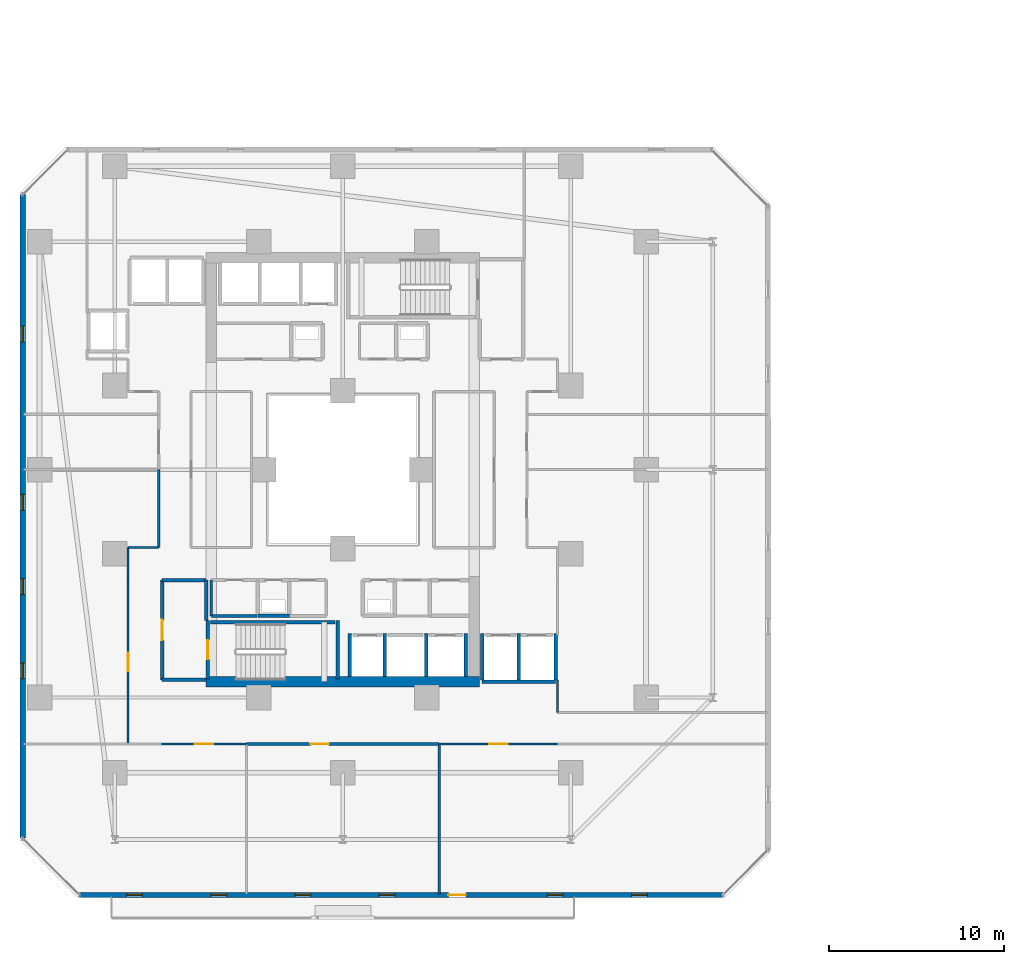
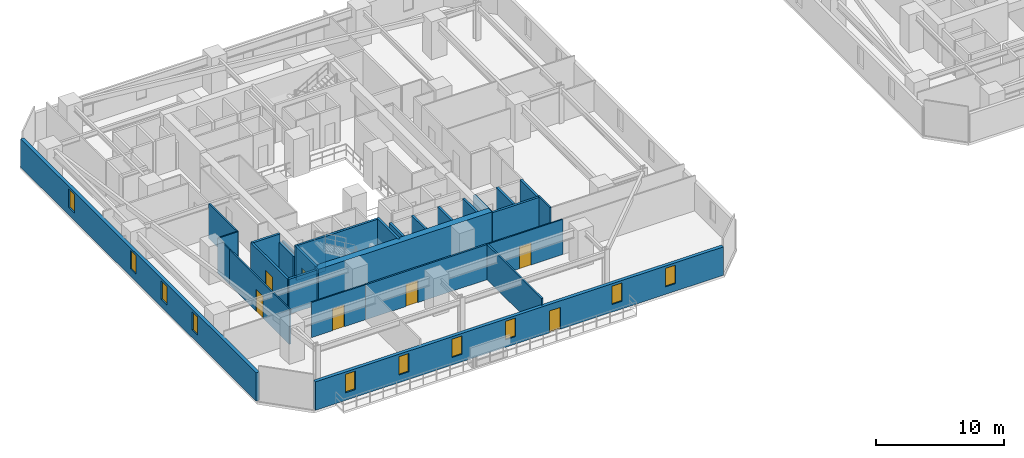
# One storey, part 20 of 34: 30 walls, 10 windows, 7 doors, 17 openings.
"""IFC4 building model written with IfcOpenShell, lengths in metres."""

from ifc_helpers import new_model, si_unit, direction, frame, frame_2d, origin, place, context, subcontext, project, spatial, rectangle, extrude, material, layer, layer_set, type_object, element, fill, save


model = new_model("IFC4")

# Units and contexts
model_context = context("Model", 3, precision=1e-05, world=origin(), true_north=direction((0.0, 1.0)))
body_context = subcontext(model_context, "Body", "Model", "MODEL_VIEW")
ifc_project = project(units=[si_unit("LENGTHUNIT", "METRE"), si_unit("AREAUNIT", "SQUARE_METRE"), si_unit("VOLUMEUNIT", "CUBIC_METRE"), si_unit("PLANEANGLEUNIT", "RADIAN"), si_unit("MASSUNIT", "GRAM", prefix="KILO")], contexts=[model_context])

# Site, building, storey
site_placement = place(None, origin())
site = spatial("IfcSite", under=ifc_project, at=site_placement, CompositionType="ELEMENT")
building_placement = place(site_placement, origin())
building = spatial("IfcBuilding", under=site, at=building_placement, Name="Thornwick Lancets Civic Towers", CompositionType="ELEMENT")
storey_placement = place(building_placement, frame((0.0, 0.0, 60.89990234375)))
storey = spatial("IfcBuildingStorey", under=building, at=storey_placement, Name="L15", CompositionType="ELEMENT", Elevation=60.89990234375)

# Walls
ifc_material_1 = material(Name="Concrete blockwork C40/50", Category="masonry")
ifc_layer_1 = layer(ifc_material_1, 0.199951171875, Name="Concrete blockwork C40/50")
ifc_layer_set_1 = layer_set([ifc_layer_1], Name="Concrete blockwork C40/50")
wall_type_1 = type_object("IfcWallType", Name="WALL_COMP_200", PredefinedType="STANDARD", material=ifc_layer_set_1)
for number, where, z_axis, x_axis, name in (
    (1, (27.89990234375, 15.2119140625, 0.0), (0.0, 0.0, 1.0), (0.0, 1.0, 0.0), "L15 Hoistway Shaft Wall FL-A1 E"),
    (2, (25.89990234375, 15.2119140625, 0.0), (0.0, 0.0, 1.0), (0.0, 1.0, 0.0), "L15 Hoistway Shaft Wall FL-A1 W"),
    (3, (30.25, 15.2119140625, 0.0), (0.0, 0.0, 1.0), (0.0, 1.0, 0.0), "L15 Hoistway Shaft Wall PL-AH1 E"),
    (4, (32.5, 15.2119140625, 0.0), (0.0, 0.0, 1.0), (0.0, 1.0, 0.0), "L15 Hoistway Shaft Wall PL-AL1 E"),
):
    element("IfcWall", number, at=place(storey_placement, frame(where, z_axis=z_axis, x_axis=x_axis)), inside=storey, type_object=wall_type_1, Name=name, PredefinedType="STANDARD", context=body_context, shape_type="SweptSolid", body=[
        extrude(rectangle(XDim=2.43603515625, YDim=0.199951171875, at=frame_2d((1.218017578125, 0.0))), origin(), (0.0, 0.0, 1.0), 3.340087890625),
    ])
wall_1_placement = place(storey_placement, frame((33.451904296875, 14.89990234375, 0.0), z_axis=(0.0, 0.0, 1.0), x_axis=(1.0, 0.0, 0.0)))
element("IfcWall", 5, at=wall_1_placement, inside=storey, type_object=wall_type_1, Name="L15 Hoistway Shaft Wall PL-AL2 S", PredefinedType="STANDARD", context=body_context, shape_type="SweptSolid", body=[
    extrude(rectangle(XDim=4.196044921875, YDim=0.199951171875, at=frame_2d((2.09814453125, 0.0))), origin(), (0.0, 0.0, 1.0), 3.340087890625),
])
for number, where, z_axis, x_axis, name in (
    (6, (35.52490234375, 15.011962890625, 0.0), (0.0, 0.0, 1.0), (0.0, 1.0, 0.0), "L15 Hoistway Shaft Wall PL-AL2 E"),
    (7, (33.449951171875, 15.011962890625, 0.0), (0.0, 0.0, 1.0), (0.0, 1.0, 0.0), "L15 Hoistway Shaft Wall PL-AL2 W"),
    (8, (37.64990234375, 15.011962890625, 0.0), (0.0, 0.0, 1.0), (0.0, 1.0, 0.0), "L15 Hoistway Shaft Wall PL-AL3 E"),
):
    element("IfcWall", number, at=place(storey_placement, frame(where, z_axis=z_axis, x_axis=x_axis)), inside=storey, type_object=wall_type_1, Name=name, PredefinedType="STANDARD", context=body_context, shape_type="SweptSolid", body=[
        extrude(rectangle(XDim=2.635986328125, YDim=0.199951171875, at=frame_2d((1.31787109375, 0.0))), origin(), (0.0, 0.0, 1.0), 3.340087890625),
    ])
wall_2_placement = place(storey_placement, frame((15.199951171875, 15.0, 0.0), z_axis=(0.0, 0.0, 1.0), x_axis=(1.0, 0.0, 0.0)))
element("IfcWall", 9, at=wall_2_placement, inside=storey, type_object=wall_type_1, Name="L15 Partition L15-A-FFLOB1 E1", PredefinedType="STANDARD", context=body_context, shape_type="SweptSolid", body=[
    extrude(rectangle(XDim=2.5, YDim=0.199951171875, at=frame_2d((1.25, 0.0))), origin(), (0.0, 0.0, 1.0), 3.340087890625),
])
wall_3_placement = place(storey_placement, frame((17.699951171875, 18.39990234375, 0.0), z_axis=(0.0, 0.0, 1.0), x_axis=(0.0, 1.0, 0.0)))
element("IfcWall", 10, at=wall_3_placement, inside=storey, type_object=wall_type_1, Name="L15 Partition L15-A-FFLOB1 E2", PredefinedType="STANDARD", context=body_context, shape_type="SweptSolid", body=[
    extrude(rectangle(XDim=2.300048828125, YDim=0.199951171875, at=frame_2d((1.14990234375, 0.0))), origin(), (0.0, 0.0, 1.0), 2.545166015625),
])
wall_4_placement = place(storey_placement, frame((17.699951171875, 20.699951171875, 0.0), z_axis=(0.0, 0.0, 1.0), x_axis=(-1.0, 0.0, 0.0)))
element("IfcWall", 11, at=wall_4_placement, inside=storey, type_object=wall_type_1, Name="L15 Partition L15-A-FFLOB1 E3", PredefinedType="STANDARD", context=body_context, shape_type="SweptSolid", body=[
    extrude(rectangle(XDim=2.5, YDim=0.199951171875, at=frame_2d((1.25, 0.0))), origin(), (0.0, 0.0, 1.0), 3.340087890625),
])

# Wall, opening, door
wall_5_placement = place(storey_placement, frame((15.199951171875, 20.699951171875, 0.0), z_axis=(0.0, 0.0, 1.0), x_axis=(0.0, -1.0, 0.0)))
wall_5 = element("IfcWall", 12, at=wall_5_placement, inside=storey, type_object=wall_type_1, Name="L15 Partition L15-A-FFLOB1 E4", PredefinedType="STANDARD", context=body_context, shape_type="SweptSolid", body=[
    extrude(rectangle(XDim=5.699951171875, YDim=0.199951171875, at=frame_2d((2.85009765625, 0.0))), origin(), (0.0, 0.0, 1.0), 3.340087890625),
])
opening_1_placement = place(wall_5_placement, frame((2.27490234375, 0.0, 0.0)))
opening_1 = element("IfcOpeningElement", 13, at=opening_1_placement, cuts=wall_5, Name="Opening D-L15-0703", PredefinedType="OPENING", context=body_context, shape_type="SweptSolid", body=[
    extrude(rectangle(XDim=1.14990234375, YDim=2.10009765625, at=frame_2d((0.574951171875, 1.050048828125))), frame((0.0, 0.10986328125, 0.0), z_axis=(0.0, -1.0, 0.0), x_axis=(1.0, 0.0, 0.0)), (0.0, 0.0, 1.0), 0.219970703125),
])
ifc_material_2 = material(Name="Glazed fire-resisting steel", Category="steel")
door_type_1 = type_object("IfcDoorType", Name="DOOR_LOBBY_FD60", OperationType="NOTDEFINED", PredefinedType="DOOR", material=ifc_material_2)
door_1_placement = place(opening_1_placement, origin())
door_1 = element("IfcDoor", 14, at=door_1_placement, inside=storey, type_object=door_type_1, Name="L15 South Firefighting Lobby 1 Door", OperationType="SINGLE_SWING_RIGHT", OverallHeight=2.10009765625, OverallWidth=1.14990234375, PredefinedType="DOOR", context=body_context, shape_type="SweptSolid", body=[
    extrude(rectangle(XDim=1.14990234375, YDim=2.10009765625, at=frame_2d((0.574951171875, 1.050048828125))), frame((0.0, 0.02490234375, 0.0), z_axis=(0.0, -1.0, 0.0), x_axis=(1.0, 0.0, 0.0)), (0.0, 0.0, 1.0), 0.050048828125),
])
fill(opening_1, door_1)

# Walls
wall_6_placement = place(storey_placement, frame((20.64990234375, 18.64990234375, 0.0), z_axis=(0.0, 0.0, 1.0), x_axis=(1.0, 0.0, 0.0)))
element("IfcWall", 15, at=wall_6_placement, inside=storey, type_object=wall_type_1, Name="L15 Partition L15-A-RISER1 E1", PredefinedType="STANDARD", context=body_context, shape_type="SweptSolid", body=[
    extrude(rectangle(XDim=1.800048828125, YDim=0.199951171875, at=frame_2d((0.89990234375, 0.0))), origin(), (0.0, 0.0, 1.0), 3.340087890625),
])
ifc_material_3 = material(Name="Concrete C60/75", Category="concrete")
ifc_layer_2 = layer(ifc_material_3, 0.60009765625, Name="Concrete C60/75")
ifc_layer_set_2 = layer_set([ifc_layer_2], Name="Concrete C60/75")
wall_type_2 = type_object("IfcWallType", Name="WALL_CORE_600", PredefinedType="SHEAR", material=ifc_layer_set_2)
wall_7_placement = place(storey_placement, frame((17.699951171875, 14.89990234375, 0.0), z_axis=(0.0, 0.0, 1.0), x_axis=(1.0, 0.0, 0.0)))
element("IfcWall", 16, at=wall_7_placement, inside=storey, type_object=wall_type_2, Name="L15 Split Core A1 Shear Wall S", PredefinedType="SHEAR", context=body_context, shape_type="SweptSolid", body=[
    extrude(rectangle(XDim=15.60009765625, YDim=0.60009765625, at=frame_2d((7.800048828125, 0.0))), origin(), (0.0, 0.0, 1.0), 3.60009765625),
])

# Wall, openings, door, windows
ifc_material_4 = material(Name="Insulated russet terracotta rainscreen on concrete C40/50", Category="masonry")
ifc_layer_3 = layer(ifc_material_4, 0.300048828125, Name="Insulated russet terracotta rainscreen on concrete C40/50")
ifc_layer_set_3 = layer_set([ifc_layer_3], Name="Insulated russet terracotta rainscreen on concrete C40/50")
wall_type_3 = type_object("IfcWallType", Name="WALL_EXT_RUSSET_300", PredefinedType="STANDARD", material=ifc_layer_set_3)
wall_8_placement = place(storey_placement, frame((10.471435546875, 2.7373046875, 0.0), z_axis=(0.0, 0.0, 1.0), x_axis=(0.999999998209, -5.985515e-05, 0.0)))
wall_8 = element("IfcWall", 17, at=wall_8_placement, inside=storey, type_object=wall_type_3, Name="L15 Tower A Terracotta Facade Wall E0", PredefinedType="STANDARD", context=body_context, shape_type="SweptSolid", body=[
    extrude(rectangle(XDim=36.709716796875, YDim=0.300048828125, at=frame_2d((18.35498046875, 0.0))), origin(), (0.0, 0.0, 1.0), 2.7001953125),
])
opening_2_placement = place(wall_8_placement, frame((21.054931640625, 0.0, 0.0)))
opening_2 = element("IfcOpeningElement", 18, at=opening_2_placement, cuts=wall_8, Name="Opening D-BL-L15-AS", PredefinedType="OPENING", context=body_context, shape_type="SweptSolid", body=[
    extrude(rectangle(XDim=1.0, YDim=2.080078125, at=frame_2d((0.5, 1.0400390625))), frame((0.0, 0.16015625, 0.0), z_axis=(0.0, -1.0, 0.0), x_axis=(1.0, 0.0, 0.0)), (0.0, 0.0, 1.0), 0.320068359375),
])
opening_3_placement = place(wall_8_placement, frame((2.699951171875, 0.0, 0.719970703125)))
opening_3 = element("IfcOpeningElement", 19, at=opening_3_placement, cuts=wall_8, Name="Opening WL-01", PredefinedType="OPENING", context=body_context, shape_type="SweptSolid", body=[
    extrude(rectangle(XDim=0.89990234375, YDim=1.75, at=frame_2d((0.449951171875, 0.875))), frame((0.0, 0.16015625, 0.0), z_axis=(0.0, -1.0, 0.0), x_axis=(1.0, 0.0, 0.0)), (0.0, 0.0, 1.0), 0.320068359375),
])
opening_4_placement = place(wall_8_placement, frame((7.5, 0.0, 0.719970703125)))
opening_4 = element("IfcOpeningElement", 20, at=opening_4_placement, cuts=wall_8, Name="Opening WL-01", PredefinedType="OPENING", context=body_context, shape_type="SweptSolid", body=[
    extrude(rectangle(XDim=0.89990234375, YDim=1.75, at=frame_2d((0.449951171875, 0.875))), frame((0.0, 0.16015625, 0.0), z_axis=(0.0, -1.0, 0.0), x_axis=(1.0, 0.0, 0.0)), (0.0, 0.0, 1.0), 0.320068359375),
])
opening_5_placement = place(wall_8_placement, frame((12.300048828125, 0.0, 0.719970703125)))
opening_5 = element("IfcOpeningElement", 21, at=opening_5_placement, cuts=wall_8, Name="Opening WL-01", PredefinedType="OPENING", context=body_context, shape_type="SweptSolid", body=[
    extrude(rectangle(XDim=0.89990234375, YDim=1.75, at=frame_2d((0.449951171875, 0.875))), frame((0.0, 0.16015625, 0.0), z_axis=(0.0, -1.0, 0.0), x_axis=(1.0, 0.0, 0.0)), (0.0, 0.0, 1.0), 0.320068359375),
])
opening_6_placement = place(wall_8_placement, frame((17.10009765625, 0.0, 0.719970703125)))
opening_6 = element("IfcOpeningElement", 22, at=opening_6_placement, cuts=wall_8, Name="Opening WL-01", PredefinedType="OPENING", context=body_context, shape_type="SweptSolid", body=[
    extrude(rectangle(XDim=0.89990234375, YDim=1.75, at=frame_2d((0.449951171875, 0.875))), frame((0.0, 0.16015625, 0.0), z_axis=(0.0, -1.0, 0.0), x_axis=(1.0, 0.0, 0.0)), (0.0, 0.0, 1.0), 0.320068359375),
])
opening_7_placement = place(wall_8_placement, frame((26.699951171875, 0.0, 0.719970703125)))
opening_7 = element("IfcOpeningElement", 23, at=opening_7_placement, cuts=wall_8, Name="Opening WL-01", PredefinedType="OPENING", context=body_context, shape_type="SweptSolid", body=[
    extrude(rectangle(XDim=0.89990234375, YDim=1.75, at=frame_2d((0.449951171875, 0.875))), frame((0.0, 0.16015625, 0.0), z_axis=(0.0, -1.0, 0.0), x_axis=(1.0, 0.0, 0.0)), (0.0, 0.0, 1.0), 0.320068359375),
])
opening_8_placement = place(wall_8_placement, frame((31.5, 0.0, 0.719970703125)))
opening_8 = element("IfcOpeningElement", 24, at=opening_8_placement, cuts=wall_8, Name="Opening WL-01", PredefinedType="OPENING", context=body_context, shape_type="SweptSolid", body=[
    extrude(rectangle(XDim=0.89990234375, YDim=1.75, at=frame_2d((0.449951171875, 0.875))), frame((0.0, 0.16015625, 0.0), z_axis=(0.0, -1.0, 0.0), x_axis=(1.0, 0.0, 0.0)), (0.0, 0.0, 1.0), 0.320068359375),
])
ifc_material_5 = material(Name="Thermally broken glazed loggia doorset")
door_type_2 = type_object("IfcDoorType", Name="DOOR_BALC_1000", OperationType="NOTDEFINED", PredefinedType="DOOR", material=ifc_material_5)
door_2_placement = place(opening_2_placement, origin())
door_2 = element("IfcDoor", 25, at=door_2_placement, inside=storey, type_object=door_type_2, Name="L15 Tower A Loggia Balcony Door S", OperationType="SINGLE_SWING_RIGHT", OverallHeight=2.080078125, OverallWidth=1.0, PredefinedType="DOOR", context=body_context, shape_type="SweptSolid", body=[
    extrude(rectangle(XDim=1.0, YDim=2.080078125, at=frame_2d((0.5, 1.0400390625))), frame((0.0, 0.02490234375, 0.0), z_axis=(0.0, -1.0, 0.0), x_axis=(1.0, 0.0, 0.0)), (0.0, 0.0, 1.0), 0.050048828125),
])
fill(opening_2, door_2)
ifc_material_6 = material(Name="Clear low-e double glazing in bronze frame", Category="glass")
window_type = type_object("IfcWindowType", Name="WIN_LANCET_900", PartitioningType="SINGLE_PANEL", PredefinedType="WINDOW", material=ifc_material_6)
window_1_placement = place(opening_3_placement, origin())
window_1 = element("IfcWindow", 26, at=window_1_placement, inside=storey, type_object=window_type, Name="L15 Tower A Staggered Lancet Window E0-1", OverallHeight=1.75, OverallWidth=0.89990234375, PartitioningType="SINGLE_PANEL", PredefinedType="WINDOW", context=body_context, shape_type="SweptSolid", body=[
    extrude(rectangle(XDim=0.89990234375, YDim=1.75, at=frame_2d((0.449951171875, 0.875))), frame((0.0, 0.030029296875, 0.0), z_axis=(0.0, -1.0, 0.0), x_axis=(1.0, 0.0, 0.0)), (0.0, 0.0, 1.0), 0.06005859375),
])
fill(opening_3, window_1)
window_2_placement = place(opening_4_placement, origin())
window_2 = element("IfcWindow", 27, at=window_2_placement, inside=storey, type_object=window_type, Name="L15 Tower A Staggered Lancet Window E0-2", OverallHeight=1.75, OverallWidth=0.89990234375, PartitioningType="SINGLE_PANEL", PredefinedType="WINDOW", context=body_context, shape_type="SweptSolid", body=[
    extrude(rectangle(XDim=0.89990234375, YDim=1.75, at=frame_2d((0.449951171875, 0.875))), frame((0.0, 0.030029296875, 0.0), z_axis=(0.0, -1.0, 0.0), x_axis=(1.0, 0.0, 0.0)), (0.0, 0.0, 1.0), 0.06005859375),
])
fill(opening_4, window_2)
window_3_placement = place(opening_5_placement, origin())
window_3 = element("IfcWindow", 28, at=window_3_placement, inside=storey, type_object=window_type, Name="L15 Tower A Staggered Lancet Window E0-3", OverallHeight=1.75, OverallWidth=0.89990234375, PartitioningType="SINGLE_PANEL", PredefinedType="WINDOW", context=body_context, shape_type="SweptSolid", body=[
    extrude(rectangle(XDim=0.89990234375, YDim=1.75, at=frame_2d((0.449951171875, 0.875))), frame((0.0, 0.030029296875, 0.0), z_axis=(0.0, -1.0, 0.0), x_axis=(1.0, 0.0, 0.0)), (0.0, 0.0, 1.0), 0.06005859375),
])
fill(opening_5, window_3)
window_4_placement = place(opening_6_placement, origin())
window_4 = element("IfcWindow", 29, at=window_4_placement, inside=storey, type_object=window_type, Name="L15 Tower A Staggered Lancet Window E0-4", OverallHeight=1.75, OverallWidth=0.89990234375, PartitioningType="SINGLE_PANEL", PredefinedType="WINDOW", context=body_context, shape_type="SweptSolid", body=[
    extrude(rectangle(XDim=0.89990234375, YDim=1.75, at=frame_2d((0.449951171875, 0.875))), frame((0.0, 0.030029296875, 0.0), z_axis=(0.0, -1.0, 0.0), x_axis=(1.0, 0.0, 0.0)), (0.0, 0.0, 1.0), 0.06005859375),
])
fill(opening_6, window_4)
window_5_placement = place(opening_7_placement, origin())
window_5 = element("IfcWindow", 30, at=window_5_placement, inside=storey, type_object=window_type, Name="L15 Tower A Staggered Lancet Window E0-5", OverallHeight=1.75, OverallWidth=0.89990234375, PartitioningType="SINGLE_PANEL", PredefinedType="WINDOW", context=body_context, shape_type="SweptSolid", body=[
    extrude(rectangle(XDim=0.89990234375, YDim=1.75, at=frame_2d((0.449951171875, 0.875))), frame((0.0, 0.030029296875, 0.0), z_axis=(0.0, -1.0, 0.0), x_axis=(1.0, 0.0, 0.0)), (0.0, 0.0, 1.0), 0.06005859375),
])
fill(opening_7, window_5)
window_6_placement = place(opening_8_placement, origin())
window_6 = element("IfcWindow", 31, at=window_6_placement, inside=storey, type_object=window_type, Name="L15 Tower A Staggered Lancet Window E0-6", OverallHeight=1.75, OverallWidth=0.89990234375, PartitioningType="SINGLE_PANEL", PredefinedType="WINDOW", context=body_context, shape_type="SweptSolid", body=[
    extrude(rectangle(XDim=0.89990234375, YDim=1.75, at=frame_2d((0.449951171875, 0.875))), frame((0.0, 0.030029296875, 0.0), z_axis=(0.0, -1.0, 0.0), x_axis=(1.0, 0.0, 0.0)), (0.0, 0.0, 1.0), 0.06005859375),
])
fill(opening_8, window_6)

# Wall, openings, windows
wall_9_placement = place(storey_placement, frame((7.235107421875, 42.68115234375, 0.0), z_axis=(0.0, 0.0, 1.0), x_axis=(5.985515e-05, -0.999999998209, 0.0)))
wall_9 = element("IfcWall", 32, at=wall_9_placement, inside=storey, type_object=wall_type_3, Name="L15 Tower A Terracotta Facade Wall E6", PredefinedType="STANDARD", context=body_context, shape_type="SweptSolid", body=[
    extrude(rectangle(XDim=36.709716796875, YDim=0.300048828125, at=frame_2d((18.35498046875, 0.0))), origin(), (0.0, 0.0, 1.0), 2.7001953125),
])
opening_9_placement = place(wall_9_placement, frame((7.5, 0.0, 0.719970703125)))
opening_9 = element("IfcOpeningElement", 33, at=opening_9_placement, cuts=wall_9, Name="Opening WL-01", PredefinedType="OPENING", context=body_context, shape_type="SweptSolid", body=[
    extrude(rectangle(XDim=0.89990234375, YDim=1.75, at=frame_2d((0.449951171875, 0.875))), frame((0.0, 0.16015625, 0.0), z_axis=(0.0, -1.0, 0.0), x_axis=(1.0, 0.0, 0.0)), (0.0, 0.0, 1.0), 0.320068359375),
])
opening_10_placement = place(wall_9_placement, frame((17.10009765625, 0.0, 0.719970703125)))
opening_10 = element("IfcOpeningElement", 34, at=opening_10_placement, cuts=wall_9, Name="Opening WL-01", PredefinedType="OPENING", context=body_context, shape_type="SweptSolid", body=[
    extrude(rectangle(XDim=0.89990234375, YDim=1.75, at=frame_2d((0.449951171875, 0.875))), frame((0.0, 0.16015625, 0.0), z_axis=(0.0, -1.0, 0.0), x_axis=(1.0, 0.0, 0.0)), (0.0, 0.0, 1.0), 0.320068359375),
])
opening_11_placement = place(wall_9_placement, frame((21.89990234375, 0.0, 0.719970703125)))
opening_11 = element("IfcOpeningElement", 35, at=opening_11_placement, cuts=wall_9, Name="Opening WL-01", PredefinedType="OPENING", context=body_context, shape_type="SweptSolid", body=[
    extrude(rectangle(XDim=0.89990234375, YDim=1.75, at=frame_2d((0.449951171875, 0.875))), frame((0.0, 0.16015625, 0.0), z_axis=(0.0, -1.0, 0.0), x_axis=(1.0, 0.0, 0.0)), (0.0, 0.0, 1.0), 0.320068359375),
])
opening_12_placement = place(wall_9_placement, frame((26.699951171875, 0.0, 0.719970703125)))
opening_12 = element("IfcOpeningElement", 36, at=opening_12_placement, cuts=wall_9, Name="Opening WL-01", PredefinedType="OPENING", context=body_context, shape_type="SweptSolid", body=[
    extrude(rectangle(XDim=0.89990234375, YDim=1.75, at=frame_2d((0.449951171875, 0.875))), frame((0.0, 0.16015625, 0.0), z_axis=(0.0, -1.0, 0.0), x_axis=(1.0, 0.0, 0.0)), (0.0, 0.0, 1.0), 0.320068359375),
])
window_7_placement = place(opening_9_placement, origin())
window_7 = element("IfcWindow", 37, at=window_7_placement, inside=storey, type_object=window_type, Name="L15 Tower A Staggered Lancet Window E6-1", OverallHeight=1.75, OverallWidth=0.89990234375, PartitioningType="SINGLE_PANEL", PredefinedType="WINDOW", context=body_context, shape_type="SweptSolid", body=[
    extrude(rectangle(XDim=0.89990234375, YDim=1.75, at=frame_2d((0.449951171875, 0.875))), frame((0.0, 0.030029296875, 0.0), z_axis=(0.0, -1.0, 0.0), x_axis=(1.0, 0.0, 0.0)), (0.0, 0.0, 1.0), 0.06005859375),
])
fill(opening_9, window_7)
window_8_placement = place(opening_10_placement, origin())
window_8 = element("IfcWindow", 38, at=window_8_placement, inside=storey, type_object=window_type, Name="L15 Tower A Staggered Lancet Window E6-2", OverallHeight=1.75, OverallWidth=0.89990234375, PartitioningType="SINGLE_PANEL", PredefinedType="WINDOW", context=body_context, shape_type="SweptSolid", body=[
    extrude(rectangle(XDim=0.89990234375, YDim=1.75, at=frame_2d((0.449951171875, 0.875))), frame((0.0, 0.030029296875, 0.0), z_axis=(0.0, -1.0, 0.0), x_axis=(1.0, 0.0, 0.0)), (0.0, 0.0, 1.0), 0.06005859375),
])
fill(opening_10, window_8)
window_9_placement = place(opening_11_placement, origin())
window_9 = element("IfcWindow", 39, at=window_9_placement, inside=storey, type_object=window_type, Name="L15 Tower A Staggered Lancet Window E6-3", OverallHeight=1.75, OverallWidth=0.89990234375, PartitioningType="SINGLE_PANEL", PredefinedType="WINDOW", context=body_context, shape_type="SweptSolid", body=[
    extrude(rectangle(XDim=0.89990234375, YDim=1.75, at=frame_2d((0.449951171875, 0.875))), frame((0.0, 0.030029296875, 0.0), z_axis=(0.0, -1.0, 0.0), x_axis=(1.0, 0.0, 0.0)), (0.0, 0.0, 1.0), 0.06005859375),
])
fill(opening_11, window_9)
window_10_placement = place(opening_12_placement, origin())
window_10 = element("IfcWindow", 40, at=window_10_placement, inside=storey, type_object=window_type, Name="L15 Tower A Staggered Lancet Window E6-4", OverallHeight=1.75, OverallWidth=0.89990234375, PartitioningType="SINGLE_PANEL", PredefinedType="WINDOW", context=body_context, shape_type="SweptSolid", body=[
    extrude(rectangle(XDim=0.89990234375, YDim=1.75, at=frame_2d((0.449951171875, 0.875))), frame((0.0, 0.030029296875, 0.0), z_axis=(0.0, -1.0, 0.0), x_axis=(1.0, 0.0, 0.0)), (0.0, 0.0, 1.0), 0.06005859375),
])
fill(opening_12, window_10)

# Walls
ifc_material_7 = material(Name="Acoustic gypsum board partition")
ifc_layer_4 = layer(ifc_material_7, 0.1201171875, Name="Acoustic gypsum board partition")
ifc_layer_set_4 = layer_set([ifc_layer_4], Name="Acoustic gypsum board partition")
wall_type_4 = type_object("IfcWallType", Name="WALL_PART_120", PredefinedType="PARTITIONING", material=ifc_layer_set_4)
wall_10_placement = place(storey_placement, frame((15.0, 27.0, 0.0), z_axis=(0.0, 0.0, 1.0), x_axis=(0.0, -1.0, 0.0)))
element("IfcWall", 41, at=wall_10_placement, inside=storey, type_object=wall_type_4, Name="L15 Partition L15-A-W1 E1", PredefinedType="PARTITIONING", context=body_context, shape_type="SweptSolid", body=[
    extrude(rectangle(XDim=4.449951171875, YDim=0.1201171875, at=frame_2d((2.22509765625, 0.0))), origin(), (0.0, 0.0, 1.0), 3.340087890625),
])
wall_11_placement = place(storey_placement, frame((15.0, 22.550048828125, 0.0), z_axis=(0.0, 0.0, 1.0), x_axis=(-1.0, 0.0, 0.0)))
element("IfcWall", 42, at=wall_11_placement, inside=storey, type_object=wall_type_4, Name="L15 Partition L15-A-W1 E2", PredefinedType="PARTITIONING", context=body_context, shape_type="SweptSolid", body=[
    extrude(rectangle(XDim=1.75, YDim=0.1201171875, at=frame_2d((0.875, 0.0))), origin(), (0.0, 0.0, 1.0), 3.340087890625),
])
wall_12_placement = place(storey_placement, frame((13.25, 22.550048828125, 0.0), z_axis=(0.0, 0.0, 1.0), x_axis=(0.0, -1.0, 0.0)))
element("IfcWall", 43, at=wall_12_placement, inside=storey, type_object=wall_type_4, Name="L15 Partition L15-A-W1 E3", PredefinedType="PARTITIONING", context=body_context, shape_type="SweptSolid", body=[
    extrude(rectangle(XDim=1.85009765625, YDim=0.1201171875, at=frame_2d((0.925048828125, 0.0))), origin(), (0.0, 0.0, 1.0), 3.340087890625),
])

# Wall, opening, door
wall_13_placement = place(storey_placement, frame((13.25, 20.699951171875, 0.0), z_axis=(0.0, 0.0, 1.0), x_axis=(0.0, -1.0, 0.0)))
wall_13 = element("IfcWall", 44, at=wall_13_placement, inside=storey, type_object=wall_type_4, Name="L15 Partition L15-A-W1 E4", PredefinedType="PARTITIONING", context=body_context, shape_type="SweptSolid", body=[
    extrude(rectangle(XDim=9.349853515625, YDim=0.1201171875, at=frame_2d((4.6748046875, 0.0))), origin(), (0.0, 0.0, 1.0), 3.340087890625),
])
opening_13_placement = place(wall_13_placement, frame((4.14990234375, 0.0, 0.0)))
opening_13 = element("IfcOpeningElement", 45, at=opening_13_placement, cuts=wall_13, Name="Opening D-L15-0727", PredefinedType="OPENING", context=body_context, shape_type="SweptSolid", body=[
    extrude(rectangle(XDim=1.050048828125, YDim=2.10009765625, at=frame_2d((0.52490234375, 1.050048828125))), frame((0.0, 0.070068359375, 0.0), z_axis=(0.0, -1.0, 0.0), x_axis=(1.0, 0.0, 0.0)), (0.0, 0.0, 1.0), 0.14013671875),
])
ifc_material_8 = material(Name="Glazed European oak executive doorset")
door_type_3 = type_object("IfcDoorType", Name="DOOR_OFFICE_1050", OperationType="NOTDEFINED", PredefinedType="DOOR", material=ifc_material_8)
door_3_placement = place(opening_13_placement, origin())
door_3 = element("IfcDoor", 46, at=door_3_placement, inside=storey, type_object=door_type_3, Name="L15 Tower A Ministry Directorate Office W1 Door", OperationType="SINGLE_SWING_RIGHT", OverallHeight=2.10009765625, OverallWidth=1.050048828125, PredefinedType="DOOR", context=body_context, shape_type="SweptSolid", body=[
    extrude(rectangle(XDim=1.050048828125, YDim=2.10009765625, at=frame_2d((0.52490234375, 1.050048828125))), frame((0.0, 0.02490234375, 0.0), z_axis=(0.0, -1.0, 0.0), x_axis=(1.0, 0.0, 0.0)), (0.0, 0.0, 1.0), 0.050048828125),
])
fill(opening_13, door_3)

# Wall
wall_14_placement = place(storey_placement, frame((37.75, 13.14990234375, 0.0), z_axis=(0.0, 0.0, 1.0), x_axis=(0.0, 1.0, 0.0)))
element("IfcWall", 47, at=wall_14_placement, inside=storey, type_object=wall_type_4, Name="L15 Partition L15-A-E1 E8", PredefinedType="PARTITIONING", context=body_context, shape_type="SweptSolid", body=[
    extrude(rectangle(XDim=1.862060546875, YDim=0.1201171875, at=frame_2d((0.93115234375, 0.0))), origin(), (0.0, 0.0, 1.0), 3.340087890625),
])

# Wall, opening, door
wall_15_placement = place(storey_placement, frame((15.14990234375, 11.35009765625, 0.0), z_axis=(0.0, 0.0, 1.0), x_axis=(1.0, 0.0, 0.0)))
wall_15 = element("IfcWall", 48, at=wall_15_placement, inside=storey, type_object=wall_type_4, Name="L15 Partition L15-A-S-OFF1 E2", PredefinedType="PARTITIONING", context=body_context, shape_type="SweptSolid", body=[
    extrude(rectangle(XDim=4.85009765625, YDim=0.1201171875, at=frame_2d((2.425048828125, 0.0))), origin(), (0.0, 0.0, 1.0), 3.340087890625),
])
opening_14_placement = place(wall_15_placement, frame((1.89990234375, 0.0, 0.0)))
opening_14 = element("IfcOpeningElement", 49, at=opening_14_placement, cuts=wall_15, Name="Opening D-L15-0735", PredefinedType="OPENING", context=body_context, shape_type="SweptSolid", body=[
    extrude(rectangle(XDim=1.050048828125, YDim=2.10009765625, at=frame_2d((0.52490234375, 1.050048828125))), frame((0.0, 0.070068359375, 0.0), z_axis=(0.0, -1.0, 0.0), x_axis=(1.0, 0.0, 0.0)), (0.0, 0.0, 1.0), 0.14013671875),
])
door_4_placement = place(opening_14_placement, origin())
door_4 = element("IfcDoor", 50, at=door_4_placement, inside=storey, type_object=door_type_3, Name="L15 Tower A South-West Division Office Door", OperationType="SINGLE_SWING_RIGHT", OverallHeight=2.10009765625, OverallWidth=1.050048828125, PredefinedType="DOOR", context=body_context, shape_type="SweptSolid", body=[
    extrude(rectangle(XDim=1.050048828125, YDim=2.10009765625, at=frame_2d((0.52490234375, 1.050048828125))), frame((0.0, 0.02490234375, 0.0), z_axis=(0.0, -1.0, 0.0), x_axis=(1.0, 0.0, 0.0)), (0.0, 0.0, 1.0), 0.050048828125),
])
fill(opening_14, door_4)

wall_16_placement = place(storey_placement, frame((31.0, 11.35009765625, 0.0), z_axis=(0.0, 0.0, 1.0), x_axis=(1.0, 0.0, 0.0)))
wall_16 = element("IfcWall", 51, at=wall_16_placement, inside=storey, type_object=wall_type_4, Name="L15 Partition L15-A-S-OFF2 E3", PredefinedType="PARTITIONING", context=body_context, shape_type="SweptSolid", body=[
    extrude(rectangle(XDim=6.75, YDim=0.1201171875, at=frame_2d((3.375, 0.0))), origin(), (0.0, 0.0, 1.0), 3.340087890625),
])
opening_15_placement = place(wall_16_placement, frame((2.85009765625, 0.0, 0.0)))
opening_15 = element("IfcOpeningElement", 52, at=opening_15_placement, cuts=wall_16, Name="Opening D-L15-0737", PredefinedType="OPENING", context=body_context, shape_type="SweptSolid", body=[
    extrude(rectangle(XDim=1.050048828125, YDim=2.10009765625, at=frame_2d((0.52490234375, 1.050048828125))), frame((0.0, 0.070068359375, 0.0), z_axis=(0.0, -1.0, 0.0), x_axis=(1.0, 0.0, 0.0)), (0.0, 0.0, 1.0), 0.14013671875),
])
door_5_placement = place(opening_15_placement, origin())
door_5 = element("IfcDoor", 53, at=door_5_placement, inside=storey, type_object=door_type_3, Name="L15 Tower A South-East Division Office Door", OperationType="SINGLE_SWING_RIGHT", OverallHeight=2.10009765625, OverallWidth=1.050048828125, PredefinedType="DOOR", context=body_context, shape_type="SweptSolid", body=[
    extrude(rectangle(XDim=1.050048828125, YDim=2.10009765625, at=frame_2d((0.52490234375, 1.050048828125))), frame((0.0, 0.02490234375, 0.0), z_axis=(0.0, -1.0, 0.0), x_axis=(1.0, 0.0, 0.0)), (0.0, 0.0, 1.0), 0.050048828125),
])
fill(opening_15, door_5)

# Walls
ifc_material_9 = material(Name="Twin-stud acoustic gypsum board")
ifc_layer_5 = layer(ifc_material_9, 0.14990234375, Name="Twin-stud acoustic gypsum board")
ifc_layer_set_5 = layer_set([ifc_layer_5], Name="Twin-stud acoustic gypsum board")
wall_type_5 = type_object("IfcWallType", Name="WALL_PART_150", PredefinedType="PARTITIONING", material=ifc_layer_set_5)
wall_17_placement = place(storey_placement, frame((18.0, 18.64990234375, 0.0), z_axis=(0.0, 0.0, 1.0), x_axis=(1.0, 0.0, 0.0)))
element("IfcWall", 54, at=wall_17_placement, inside=storey, type_object=wall_type_5, Name="L15 Partition L15-A-MWC E1", PredefinedType="PARTITIONING", context=body_context, shape_type="SweptSolid", body=[
    extrude(rectangle(XDim=2.60009765625, YDim=0.14990234375, at=frame_2d((1.300048828125, 0.0))), origin(), (0.0, 0.0, 1.0), 3.340087890625),
])
wall_18_placement = place(storey_placement, frame((18.0, 20.699951171875, 0.0), z_axis=(0.0, 0.0, 1.0), x_axis=(0.0, -1.0, 0.0)))
element("IfcWall", 55, at=wall_18_placement, inside=storey, type_object=wall_type_5, Name="L15 Partition L15-A-MWC E4", PredefinedType="PARTITIONING", context=body_context, shape_type="SweptSolid", body=[
    extrude(rectangle(XDim=2.050048828125, YDim=0.14990234375, at=frame_2d((1.02490234375, 0.0))), origin(), (0.0, 0.0, 1.0), 2.545166015625),
])
wall_19_placement = place(storey_placement, frame((31.0, 11.35009765625, 0.0), z_axis=(0.0, 0.0, 1.0), x_axis=(0.0, -1.0, 0.0)))
element("IfcWall", 56, at=wall_19_placement, inside=storey, type_object=wall_type_5, Name="L15 Partition L15-A-S-ARCH E1", PredefinedType="PARTITIONING", context=body_context, shape_type="SweptSolid", body=[
    extrude(rectangle(XDim=8.570068359375, YDim=0.14990234375, at=frame_2d((4.28515625, 0.0))), origin(), (0.0, 0.0, 1.0), 3.340087890625),
])

# Wall, opening, door
wall_20_placement = place(storey_placement, frame((20.0, 11.35009765625, 0.0), z_axis=(0.0, 0.0, 1.0), x_axis=(1.0, 0.0, 0.0)))
wall_20 = element("IfcWall", 57, at=wall_20_placement, inside=storey, type_object=wall_type_5, Name="L15 Partition L15-A-S-ARCH E4", PredefinedType="PARTITIONING", context=body_context, shape_type="SweptSolid", body=[
    extrude(rectangle(XDim=11.0, YDim=0.14990234375, at=frame_2d((5.5, 0.0))), origin(), (0.0, 0.0, 1.0), 3.340087890625),
])
opening_16_placement = place(wall_20_placement, frame((3.655029296875, 0.0, 0.0)))
opening_16 = element("IfcOpeningElement", 58, at=opening_16_placement, cuts=wall_20, Name="Opening D-L15-0736", PredefinedType="OPENING", context=body_context, shape_type="SweptSolid", body=[
    extrude(rectangle(XDim=1.050048828125, YDim=2.10009765625, at=frame_2d((0.52490234375, 1.050048828125))), frame((0.0, 0.0849609375, 0.0), z_axis=(0.0, -1.0, 0.0), x_axis=(1.0, 0.0, 0.0)), (0.0, 0.0, 1.0), 0.169921875),
])
door_6_placement = place(opening_16_placement, origin())
door_6 = element("IfcDoor", 59, at=door_6_placement, inside=storey, type_object=door_type_3, Name="L15 Tower A Registry and Records Archive Door", OperationType="SINGLE_SWING_LEFT", OverallHeight=2.10009765625, OverallWidth=1.050048828125, PredefinedType="DOOR", context=body_context, shape_type="SweptSolid", body=[
    extrude(rectangle(XDim=1.050048828125, YDim=2.10009765625, at=frame_2d((0.52490234375, 1.050048828125))), frame((0.0, 0.02490234375, 0.0), z_axis=(0.0, -1.0, 0.0), x_axis=(1.0, 0.0, 0.0)), (0.0, 0.0, 1.0), 0.050048828125),
])
fill(opening_16, door_6)

ifc_material_10 = material(Name="Concrete C40/50", Category="concrete")
ifc_layer_6 = layer(ifc_material_10, 0.199951171875, Name="Concrete C40/50")
ifc_layer_set_6 = layer_set([ifc_layer_6], Name="Concrete C40/50")
wall_type_6 = type_object("IfcWallType", Name="WALL_SHAFT_200", PredefinedType="SHEAR", material=ifc_layer_set_6)
wall_21_placement = place(storey_placement, frame((17.800048828125, 15.050048828125, 0.0), z_axis=(0.0, 0.0, 1.0), x_axis=(0.0, 1.0, 0.0)))
wall_21 = element("IfcWall", 60, at=wall_21_placement, inside=storey, type_object=wall_type_6, Name="L15 ST-A1 Fire Stair Core Wall NEAR", PredefinedType="SHEAR", context=body_context, shape_type="SweptSolid", body=[
    extrude(rectangle(XDim=3.349853515625, YDim=0.199951171875, at=frame_2d((1.6748046875, 0.0))), origin(), (0.0, 0.0, 1.0), 3.60009765625),
])
opening_17_placement = place(wall_21_placement, frame((1.125, 0.0, 0.0)))
opening_17 = element("IfcOpeningElement", 61, at=opening_17_placement, cuts=wall_21, Name="Opening D-ST-A1-L15", PredefinedType="OPENING", context=body_context, shape_type="SweptSolid", body=[
    extrude(rectangle(XDim=1.10009765625, YDim=2.10009765625, at=frame_2d((0.550048828125, 1.050048828125))), frame((0.0, 0.10986328125, 0.0), z_axis=(0.0, -1.0, 0.0), x_axis=(1.0, 0.0, 0.0)), (0.0, 0.0, 1.0), 0.219970703125),
])
ifc_material_11 = material(Name="Fire-resisting steel and hardwood", Category="steel")
door_type_4 = type_object("IfcDoorType", Name="DOOR_STAIR_FD60", OperationType="NOTDEFINED", PredefinedType="DOOR", material=ifc_material_11)
door_7_placement = place(opening_17_placement, origin())
door_7 = element("IfcDoor", 62, at=door_7_placement, inside=storey, type_object=door_type_4, Name="L15 ST-A1 Exit Stair Door", OperationType="SINGLE_SWING_RIGHT", OverallHeight=2.10009765625, OverallWidth=1.10009765625, PredefinedType="DOOR", context=body_context, shape_type="SweptSolid", body=[
    extrude(rectangle(XDim=1.10009765625, YDim=2.10009765625, at=frame_2d((0.550048828125, 1.050048828125))), frame((0.0, 0.02490234375, 0.0), z_axis=(0.0, -1.0, 0.0), x_axis=(1.0, 0.0, 0.0)), (0.0, 0.0, 1.0), 0.050048828125),
])
fill(opening_17, door_7)

# Walls
wall_22_placement = place(storey_placement, frame((25.199951171875, 18.39990234375, 0.0), z_axis=(0.0, 0.0, 1.0), x_axis=(0.0, -1.0, 0.0)))
element("IfcWall", 63, at=wall_22_placement, inside=storey, type_object=wall_type_6, Name="L15 ST-A1 Fire Stair Core Wall FAR", PredefinedType="SHEAR", context=body_context, shape_type="SweptSolid", body=[
    extrude(rectangle(XDim=3.349853515625, YDim=0.199951171875, at=frame_2d((1.6748046875, 0.0))), origin(), (0.0, 0.0, 1.0), 3.60009765625),
])
wall_23_placement = place(storey_placement, frame((25.050048828125, 18.297119140625, 0.0), z_axis=(0.0, 0.0, 1.0), x_axis=(-1.0, 0.0, 0.0)))
element("IfcWall", 64, at=wall_23_placement, inside=storey, type_object=wall_type_6, Name="L15 ST-A1 Fire Stair Core Wall RIGHT", PredefinedType="SHEAR", context=body_context, shape_type="SweptSolid", body=[
    extrude(rectangle(XDim=7.10009765625, YDim=0.199951171875, at=frame_2d((3.550048828125, 0.0))), origin(), (0.0, 0.0, 1.0), 3.60009765625),
])

save(model, "model.ifc")
